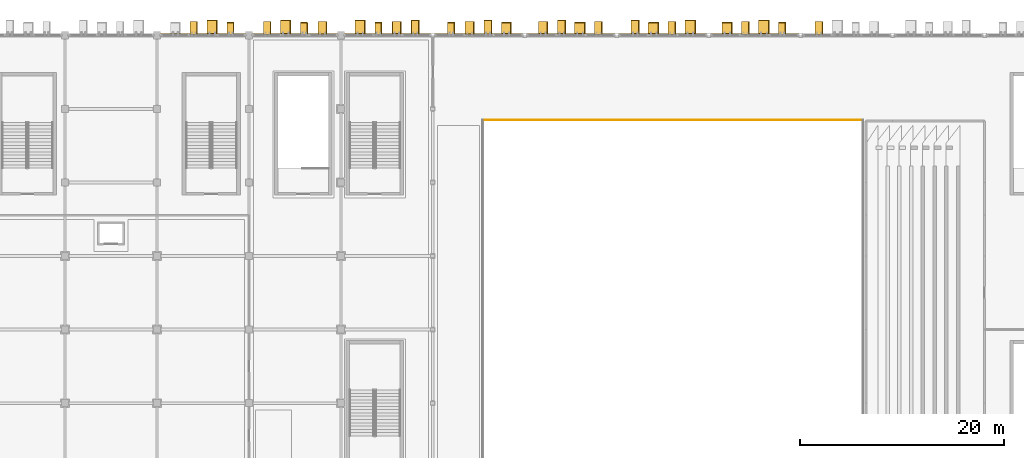
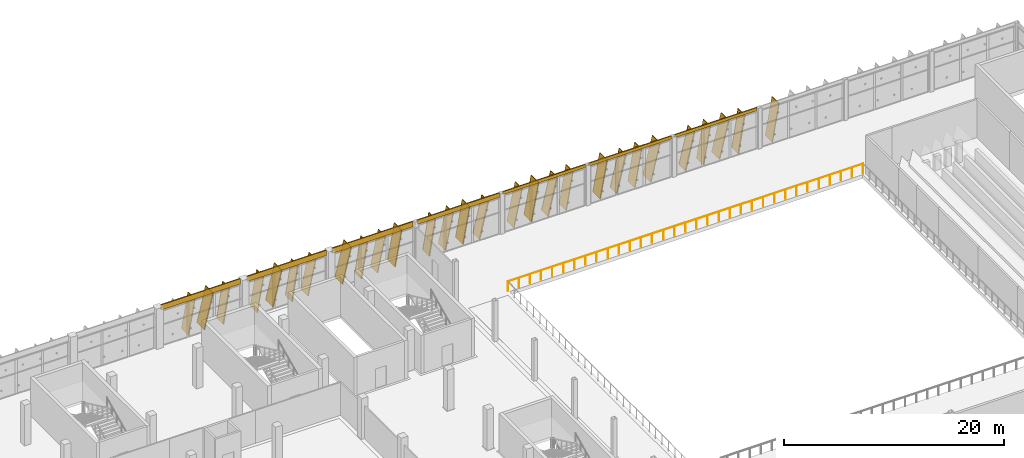
# One storey, part 150 of 151: 35 coverings, 28 shading devices, 1 railing.
"""IFC4 building model written with IfcOpenShell, lengths in metres."""

import ifcopenshell
import ifcopenshell.guid

model = None  # the IFC model being written
_history = None  # IfcOwnerHistory: only IFC2X3 demands one
_inside = {}  # id of a spatial element -> (the spatial element, [elements in it])
_under = {}  # id of a project, library or spatial element -> (it, [spatial elements below it])
_declared = {}  # id of a project -> (the project, [libraries it declares])
_typed = {}  # id of a type object -> (the type object, [elements of that type])
_made_of = {}  # id of a material, layer set ... -> (it, [elements and type objects made of it])


def new_model(schema):
    """Start an empty IFC model of exactly this schema.

    Asked for "IFC4X3", IfcOpenShell would pick the latest addendum, in which some entities
    have other attributes; the version numbers below select the first issue.
    IFC2X3 requires an IfcOwnerHistory on every rooted entity: one is made here for all.
    """
    global model, _history
    if schema == "IFC4X3":
        model = ifcopenshell.file(schema_version=(4, 3, 0, 0))
    else:
        model = ifcopenshell.file(schema=schema)
    _inside.clear()
    _under.clear()
    _declared.clear()
    _typed.clear()
    _made_of.clear()
    _history = None
    if model.schema == "IFC2X3":
        org = make("IfcOrganization", Name="unknown")
        user = make(
            "IfcPersonAndOrganization",
            ThePerson=make("IfcPerson", FamilyName="unknown"),
            TheOrganization=org,
        )
        app = make(
            "IfcApplication",
            ApplicationDeveloper=org,
            Version="unknown",
            ApplicationFullName="unknown",
            ApplicationIdentifier="unknown",
        )
        _history = make(
            "IfcOwnerHistory",
            OwningUser=user,
            OwningApplication=app,
            ChangeAction="ADDED",
            CreationDate=0,
        )
    return model


def make(cls, **values):
    """One entity of the class cls with the attributes given. An attribute that is None is left unset."""
    return model.create_entity(
        cls, **{name: value for name, value in values.items() if value is not None}
    )


def rooted(cls, **values):
    """An entity with a GlobalId (a new one), such as an element, a storey or a relation."""
    return make(cls, GlobalId=ifcopenshell.guid.new(), OwnerHistory=_history, **values)


def si_unit(unit_type, name, prefix=None):
    """IfcSIUnit, for example si_unit("LENGTHUNIT", "METRE", prefix="MILLI")."""
    return make("IfcSIUnit", UnitType=unit_type, Prefix=prefix, Name=name)


def assignment(units):
    """IfcUnitAssignment: the units of a project."""
    return None if units is None else make("IfcUnitAssignment", Units=units)


def point(xyz):
    """IfcCartesianPoint."""
    return None if xyz is None else make("IfcCartesianPoint", Coordinates=xyz)


def direction(xyz):
    """IfcDirection."""
    return None if xyz is None else make("IfcDirection", DirectionRatios=xyz)


def frame(location, z_axis=None, x_axis=None):
    """IfcAxis2Placement3D, a coordinate frame: its origin and axes. An axis left out is left unset."""
    return make(
        "IfcAxis2Placement3D",
        Location=point(location),
        Axis=direction(z_axis),
        RefDirection=direction(x_axis),
    )


def frame_2d(location, x_axis=None):
    """IfcAxis2Placement2D, a coordinate frame in the plane: its origin and x axis."""
    return make(
        "IfcAxis2Placement2D", Location=point(location), RefDirection=direction(x_axis)
    )


def origin():
    """The frame at (0, 0, 0) with its axes left unset."""
    return frame((0.0, 0.0, 0.0))


def origin_2d():
    """The frame at (0, 0) in the plane with its x axis left unset."""
    return frame_2d((0.0, 0.0))


def place(relative_to, where):
    """IfcLocalPlacement: puts the frame where relative to a parent placement (None: the world)."""
    return make(
        "IfcLocalPlacement", PlacementRelTo=relative_to, RelativePlacement=where
    )


def context(
    kind, dimensions, precision=None, world=None, true_north=None, identifier=None
):
    """IfcGeometricRepresentationContext, for example the 3D "Model" context."""
    return make(
        "IfcGeometricRepresentationContext",
        ContextIdentifier=identifier,
        ContextType=kind,
        CoordinateSpaceDimension=dimensions,
        Precision=precision,
        WorldCoordinateSystem=world,
        TrueNorth=true_north,
    )


def subcontext(parent, identifier, kind, view, scale=None):
    """IfcGeometricRepresentationSubContext, for example "Body" below "Model"."""
    return make(
        "IfcGeometricRepresentationSubContext",
        ContextIdentifier=identifier,
        ContextType=kind,
        ParentContext=parent,
        TargetScale=scale,
        TargetView=view,
    )


def project(units=None, contexts=None):
    """IfcProject with its units and contexts."""
    return rooted(
        "IfcProject",
        Name="project",
        RepresentationContexts=contexts,
        UnitsInContext=assignment(units),
    )


def spatial(cls, under=None, at=None, **own):
    """A site, building, storey or space (cls), placed at a placement, below another one or the project."""
    s = rooted(cls, ObjectPlacement=at, **own)
    if under is not None:
        _under.setdefault(under.id(), (under, []))[1].append(s)
    return s


def profile(cls, at=None, kind="AREA", **sizes):
    """A parametric profile (cls). Its sizes go by their IFC names, for example OverallWidth=200.0."""
    return make(cls, ProfileType=kind, Position=at, **sizes)


def rectangle(**sizes):
    """IfcRectangleProfileDef."""
    return profile("IfcRectangleProfileDef", **sizes)


def circle(**sizes):
    """IfcCircleProfileDef."""
    return profile("IfcCircleProfileDef", **sizes)


def extrude(swept, where, along, depth):
    """IfcExtrudedAreaSolid: the profile swept, set in the frame where, extruded along a direction by depth."""
    return make(
        "IfcExtrudedAreaSolid",
        SweptArea=swept,
        Position=where,
        ExtrudedDirection=direction(along),
        Depth=depth,
    )


def shape(context_of_items, identifier, shape_type, items):
    """IfcShapeRepresentation: the items that make up one representation, for example the "Body"."""
    return make(
        "IfcShapeRepresentation",
        ContextOfItems=context_of_items,
        RepresentationIdentifier=identifier,
        RepresentationType=shape_type,
        Items=items,
    )


def material(Name=None, Category=None):
    """IfcMaterial."""
    return make("IfcMaterial", Name=Name, Category=Category)


def layer(
    of_material, thickness, ventilated=None, Name=None, Category=None, Priority=None
):
    """IfcMaterialLayer: one layer of a wall or slab, of a material (None: an air gap)."""
    return make(
        "IfcMaterialLayer",
        Material=of_material,
        LayerThickness=thickness,
        IsVentilated=ventilated,
        Name=Name,
        Category=Category,
        Priority=Priority,
    )


def layer_set(layers, Name=None):
    """IfcMaterialLayerSet."""
    return make("IfcMaterialLayerSet", MaterialLayers=layers, LayerSetName=Name)


def material_profile(
    of_material, cross_section, Name=None, Category=None, Priority=None
):
    """IfcMaterialProfile: a cross section and its material."""
    return make(
        "IfcMaterialProfile",
        Name=Name,
        Material=of_material,
        Profile=cross_section,
        Priority=Priority,
        Category=Category,
    )


def profile_set(profiles, Name=None, composite=None):
    """IfcMaterialProfileSet."""
    return make(
        "IfcMaterialProfileSet",
        Name=Name,
        MaterialProfiles=profiles,
        CompositeProfile=composite,
    )


def made_of(thing, what):
    """Note that an element or type object is made of a material, layer set ...; save() writes the relation."""
    if what is not None:
        _made_of.setdefault(what.id(), (what, []))[1].append(thing)
    return thing


def type_object(cls, material=None, **own):
    """A type object (cls), such as IfcWallType, which elements share."""
    return made_of(rooted(cls, **own), material)


def element(
    cls,
    number,
    at=None,
    inside=None,
    cuts=None,
    type_object=None,
    material=None,
    context=None,
    identifier="Body",
    shape_type=None,
    held_by="IfcProductDefinitionShape",
    body=None,
    shapes=None,
    **own,
):
    """One element of the class cls, such as IfcWall. Its Tag is "e" and its number.

    at: its placement. inside: the storey or other place that contains it. cuts: it is an
    opening in that element (IfcRelVoidsElement). A single representation is given by context,
    identifier, shape_type and body (its items); several are given by shapes. held_by: the class
    of the entity that holds the representations. save() writes the other relations.
    """
    e = rooted(cls, Tag="e%d" % number, ObjectPlacement=at, **own)
    if body is not None:
        shapes = [shape(context, identifier, shape_type, body)]
    if shapes is not None:
        e.Representation = make(held_by, Representations=shapes)
    if inside is not None:
        _inside.setdefault(inside.id(), (inside, []))[1].append(e)
    if cuts is not None:
        rooted(
            "IfcRelVoidsElement", RelatingBuildingElement=cuts, RelatedOpeningElement=e
        )
    if type_object is not None:
        _typed.setdefault(type_object.id(), (type_object, []))[1].append(e)
    return made_of(e, material)


def aggregate(whole, parts):
    """IfcRelAggregates: a whole, such as a stair, and the parts it consists of."""
    return rooted("IfcRelAggregates", RelatingObject=whole, RelatedObjects=parts)


def save(model, path):
    """Write the relations noted so far, then the file.

    IfcRelAggregates (storeys below a building ...), IfcRelContainedInSpatialStructure (elements
    in a storey), IfcRelDefinesByType, IfcRelAssociatesMaterial and IfcRelDeclares: one each for
    every whole, place, type object, material and project.
    """
    for whole, parts in _under.values():
        aggregate(whole, parts)
    for where, things in _inside.values():
        rooted(
            "IfcRelContainedInSpatialStructure",
            RelatedElements=things,
            RelatingStructure=where,
        )
    for kind, things in _typed.values():
        rooted("IfcRelDefinesByType", RelatedObjects=things, RelatingType=kind)
    for what, things in _made_of.values():
        rooted("IfcRelAssociatesMaterial", RelatedObjects=things, RelatingMaterial=what)
    for by, libraries in _declared.values():
        rooted("IfcRelDeclares", RelatingContext=by, RelatedDefinitions=libraries)
    model.write(path)


model = new_model("IFC4")

# Units and contexts
model_context = context("Model", 3, precision=1e-05, world=origin(), true_north=direction((0.0, 1.0)))
body_context = subcontext(model_context, "Body", "Model", "MODEL_VIEW")
ifc_project = project(units=[si_unit("LENGTHUNIT", "METRE"), si_unit("AREAUNIT", "SQUARE_METRE"), si_unit("VOLUMEUNIT", "CUBIC_METRE"), si_unit("PLANEANGLEUNIT", "RADIAN"), si_unit("MASSUNIT", "GRAM", prefix="KILO")], contexts=[model_context])

# Site, building, storey
site_placement = place(None, origin())
site = spatial("IfcSite", under=ifc_project, at=site_placement, CompositionType="ELEMENT")
building_placement = place(site_placement, origin())
building = spatial("IfcBuilding", under=site, at=building_placement, Name="Celestram Park Convention Centre", CompositionType="ELEMENT")
storey_placement = place(building_placement, frame((0.0, 0.0, 10.800048828125)))
storey = spatial("IfcBuildingStorey", under=building, at=storey_placement, Name="L02", CompositionType="ELEMENT", Elevation=10.800048828125)

# Coverings
ifc_material_1 = material(Name="Anodised Bronze Aluminium Spandrel Cladding", Category="aluminium")
ifc_layer_1 = layer(ifc_material_1, 0.050048828125)
ifc_layer_set_1 = layer_set([ifc_layer_1], Name="Anodised Bronze Aluminium Spandrel Cladding")
covering_type_1 = type_object("IfcCoveringType", Name="ARC-COV-CLD060", PredefinedType="CLADDING", material=ifc_layer_set_1)
for number, where, z_axis, x_axis, name in (
    (1, (130.5, 165.679931640625, 3.9140625), (0.0, 0.0, 1.0), (1.0, 0.0, 0.0), "Bronze spandrel cladding CL-L02-160"),
    (2, (139.5, 165.679931640625, 3.9140625), (0.0, 0.0, 1.0), (1.0, 0.0, 0.0), "Bronze spandrel cladding CL-L02-161"),
):
    element("IfcCovering", number, at=place(storey_placement, frame(where, z_axis=z_axis, x_axis=x_axis)), inside=storey, type_object=covering_type_1, Name=name, PredefinedType="CLADDING", context=body_context, shape_type="SweptSolid", body=[
        extrude(rectangle(XDim=8.303955078125, YDim=0.1201171875, at=origin_2d()), origin(), (0.0, 0.0, 1.0), 0.5859375),
    ])
covering_1_placement = place(storey_placement, frame((148.5, 165.679931640625, 3.9140625), z_axis=(0.0, 0.0, 1.0), x_axis=(1.0, 0.0, 0.0)))
element("IfcCovering", 3, at=covering_1_placement, inside=storey, type_object=covering_type_1, Name="Bronze spandrel cladding CL-L02-162", PredefinedType="CLADDING", context=body_context, shape_type="SweptSolid", body=[
    extrude(rectangle(XDim=8.4541015625, YDim=0.1201171875, at=origin_2d()), origin(), (0.0, 0.0, 1.0), 0.5859375),
])
covering_2_placement = place(storey_placement, frame((157.5, 165.679931640625, 4.02001953125), z_axis=(0.0, 0.0, 1.0), x_axis=(1.0, 0.0, 0.0)))
element("IfcCovering", 4, at=covering_2_placement, inside=storey, type_object=covering_type_1, Name="Bronze spandrel cladding CL-L02-163", PredefinedType="CLADDING", context=body_context, shape_type="SweptSolid", body=[
    extrude(rectangle(XDim=8.60400390625, YDim=0.1201171875, at=origin_2d()), origin(), (0.0, 0.0, 1.0), 0.47998046875),
])
for number, where, z_axis, x_axis, name in (
    (5, (166.5, 165.679931640625, 4.1640625), (0.0, 0.0, 1.0), (1.0, 0.0, 0.0), "Bronze spandrel cladding CL-L02-164"),
    (6, (175.5, 165.679931640625, 4.1640625), (0.0, 0.0, 1.0), (1.0, 0.0, 0.0), "Bronze spandrel cladding CL-L02-165"),
    (7, (184.5, 165.679931640625, 4.1640625), (0.0, 0.0, 1.0), (1.0, 0.0, 0.0), "Bronze spandrel cladding CL-L02-166"),
):
    element("IfcCovering", number, at=place(storey_placement, frame(where, z_axis=z_axis, x_axis=x_axis)), inside=storey, type_object=covering_type_1, Name=name, PredefinedType="CLADDING", context=body_context, shape_type="SweptSolid", body=[
        extrude(rectangle(XDim=8.60400390625, YDim=0.1201171875, at=origin_2d()), origin(), (0.0, 0.0, 1.0), 0.3359375),
    ])
ifc_material_2 = material(Name="Timber-Toned Anodised Aluminium Alloy 6063-T6", Category="wood")
ifc_material_profile_1 = material_profile(ifc_material_2, rectangle(XDim=1.1201171875, YDim=0.090087890625, at=origin_2d()), Name="REED1120X90")
ifc_profile_set_1 = profile_set([ifc_material_profile_1], Name="Timber-Toned Anodised Aluminium Alloy 6063-T6")
covering_type_2 = type_object("IfcCoveringType", Name="ARC-COV-FIN1120", PredefinedType="CLADDING", material=ifc_profile_set_1)
for number, where, z_axis, x_axis, name in (
    (8, (132.889404296875, 166.239990234375, 0.030029296875), (0.159912242816, 0.0, 0.987131234739), (0.0, 1.0, 0.0), "Leaning timber-toned reed fin RFN-L02-0495"),
    (9, (140.089599609375, 166.239990234375, 0.030029296875), (0.159850990721, 0.0, 0.987141155441), (0.0, 1.0, 0.0), "Leaning timber-toned reed fin RFN-L02-0498"),
    (10, (147.364501953125, 166.239990234375, 0.030029296875), (0.159912242816, 0.0, 0.987131234739), (0.0, 1.0, 0.0), "Leaning timber-toned reed fin RFN-L02-0501"),
):
    element("IfcCovering", number, at=place(storey_placement, frame(where, z_axis=z_axis, x_axis=x_axis)), inside=storey, type_object=covering_type_2, Name=name, PredefinedType="CLADDING", context=body_context, shape_type="SweptSolid", body=[
        extrude(rectangle(XDim=1.1201171875, YDim=0.090087890625, at=origin_2d()), origin(), (0.0, 0.0, 1.0), 3.884033203125),
    ])
covering_3_placement = place(storey_placement, frame((154.48095703125, 166.239990234375, 0.03076171875), z_axis=(0.159892286348, 0.0, 0.987134467419), x_axis=(0.0, 1.0, 0.0)))
element("IfcCovering", 11, at=covering_3_placement, inside=storey, type_object=covering_type_2, Name="Leaning timber-toned reed fin RFN-L02-0504", PredefinedType="CLADDING", context=body_context, shape_type="SweptSolid", body=[
    extrude(rectangle(XDim=1.1201171875, YDim=0.090087890625, at=origin_2d()), origin(), (0.0, 0.0, 1.0), 3.98974609375),
])
covering_4_placement = place(storey_placement, frame((159.73779296875, 166.239990234375, 0.059326171875), z_axis=(0.231722551383, 0.0, 0.972781917585), x_axis=(0.0, 1.0, 0.0)))
element("IfcCovering", 12, at=covering_4_placement, inside=storey, type_object=covering_type_2, Name="Leaning timber-toned reed fin RFN-L02-0507", PredefinedType="CLADDING", context=body_context, shape_type="SweptSolid", body=[
    extrude(rectangle(XDim=1.1201171875, YDim=0.090087890625, at=origin_2d()), origin(), (0.0, 0.0, 1.0), 3.989990234375),
])
for number, where, z_axis, x_axis, name in (
    (13, (166.9208984375, 166.239990234375, 0.061279296875), (0.231737624741, 0.0, 0.972778326896), (0.0, 1.0, 0.0), "Leaning timber-toned reed fin RFN-L02-0510"),
    (14, (174.12109375, 166.239990234375, 0.061279296875), (0.231737624741, 0.0, 0.972778326896), (0.0, 1.0, 0.0), "Leaning timber-toned reed fin RFN-L02-0513"),
    (15, (181.321044921875, 166.239990234375, 0.061279296875), (0.231737624741, 0.0, 0.972778326896), (0.0, 1.0, 0.0), "Leaning timber-toned reed fin RFN-L02-0516"),
    (16, (186.869384765625, 166.239990234375, 0.031494140625), (0.159924965723, 0.0, 0.987129173583), (0.0, 1.0, 0.0), "Leaning timber-toned reed fin RFN-L02-0519"),
):
    element("IfcCovering", number, at=place(storey_placement, frame(where, z_axis=z_axis, x_axis=x_axis)), inside=storey, type_object=covering_type_2, Name=name, PredefinedType="CLADDING", context=body_context, shape_type="SweptSolid", body=[
        extrude(rectangle(XDim=1.1201171875, YDim=0.090087890625, at=origin_2d()), origin(), (0.0, 0.0, 1.0), 4.134033203125),
    ])
ifc_material_profile_2 = material_profile(ifc_material_2, rectangle(XDim=1.280029296875, YDim=0.090087890625, at=origin_2d()), Name="REED1280X90")
ifc_profile_set_2 = profile_set([ifc_material_profile_2], Name="Timber-Toned Anodised Aluminium Alloy 6063-T6")
covering_type_3 = type_object("IfcCoveringType", Name="ARC-COV-FIN1280", PredefinedType="CLADDING", material=ifc_profile_set_2)
for number, where, z_axis, x_axis, name in (
    (17, (129.26953125, 166.320068359375, 0.033203125), (0.170155292653, 0.0, 0.985417260039), (0.0, 1.0, 0.0), "Leaning timber-toned reed fin RFN-L02-0493"),
    (18, (136.469482421875, 166.320068359375, 0.033203125), (0.170216329286, 0.0, 0.985406718693), (0.0, 1.0, 0.0), "Leaning timber-toned reed fin RFN-L02-0496"),
    (19, (141.79296875, 166.320068359375, 0.048095703125), (0.209623524504, 0.0, 0.97778217307), (0.0, 1.0, 0.0), "Leaning timber-toned reed fin RFN-L02-0499"),
    (20, (149.06787109375, 166.320068359375, 0.048095703125), (0.209623524504, 0.0, 0.97778217307), (0.0, 1.0, 0.0), "Leaning timber-toned reed fin RFN-L02-0502"),
):
    element("IfcCovering", number, at=place(storey_placement, frame(where, z_axis=z_axis, x_axis=x_axis)), inside=storey, type_object=covering_type_3, Name=name, PredefinedType="CLADDING", context=body_context, shape_type="SweptSolid", body=[
        extrude(rectangle(XDim=1.280029296875, YDim=0.090087890625, at=origin_2d()), origin(), (0.0, 0.0, 1.0), 3.884033203125),
    ])
covering_5_placement = place(storey_placement, frame((156.181884765625, 166.320068359375, 0.04931640625), z_axis=(0.209629375913, 0.0, 0.977780918588), x_axis=(0.0, 1.0, 0.0)))
element("IfcCovering", 21, at=covering_5_placement, inside=storey, type_object=covering_type_3, Name="Leaning timber-toned reed fin RFN-L02-0505", PredefinedType="CLADDING", context=body_context, shape_type="SweptSolid", body=[
    extrude(rectangle(XDim=1.280029296875, YDim=0.090087890625, at=origin_2d()), origin(), (0.0, 0.0, 1.0), 3.989990234375),
])
covering_6_placement = place(storey_placement, frame((163.36669921875, 166.320068359375, 0.05078125), z_axis=(0.209646045383, 0.0, 0.977777344622), x_axis=(0.0, 1.0, 0.0)))
element("IfcCovering", 22, at=covering_6_placement, inside=storey, type_object=covering_type_3, Name="Leaning timber-toned reed fin RFN-L02-0508", PredefinedType="CLADDING", context=body_context, shape_type="SweptSolid", body=[
    extrude(rectangle(XDim=1.280029296875, YDim=0.090087890625, at=origin_2d()), origin(), (0.0, 0.0, 1.0), 4.134033203125),
])
for number, where, z_axis, x_axis, name in (
    (23, (168.84814453125, 166.320068359375, 0.03515625), (0.170209503231, 0.0, 0.985407897781), (0.0, 1.0, 0.0), "Leaning timber-toned reed fin RFN-L02-0511"),
    (24, (176.048095703125, 166.320068359375, 0.03515625), (0.170209503231, 0.0, 0.985407897781), (0.0, 1.0, 0.0), "Leaning timber-toned reed fin RFN-L02-0514"),
    (25, (183.248291015625, 166.320068359375, 0.03515625), (0.170209503231, 0.0, 0.985407897781), (0.0, 1.0, 0.0), "Leaning timber-toned reed fin RFN-L02-0517"),
    (26, (190.4482421875, 166.320068359375, 0.03515625), (0.170209503231, 0.0, 0.985407897781), (0.0, 1.0, 0.0), "Leaning timber-toned reed fin RFN-L02-0520"),
):
    element("IfcCovering", number, at=place(storey_placement, frame(where, z_axis=z_axis, x_axis=x_axis)), inside=storey, type_object=covering_type_3, Name=name, PredefinedType="CLADDING", context=body_context, shape_type="SweptSolid", body=[
        extrude(rectangle(XDim=1.280029296875, YDim=0.090087890625, at=origin_2d()), origin(), (0.0, 0.0, 1.0), 4.1337890625),
    ])
ifc_material_profile_3 = material_profile(ifc_material_2, rectangle(XDim=1.419921875, YDim=0.090087890625, at=origin_2d()), Name="REED1420X90")
ifc_profile_set_3 = profile_set([ifc_material_profile_3], Name="Timber-Toned Anodised Aluminium Alloy 6063-T6")
covering_type_4 = type_object("IfcCoveringType", Name="ARC-COV-FIN1420", PredefinedType="CLADDING", material=ifc_profile_set_3)
for number, where, z_axis, x_axis, name in (
    (27, (130.936767578125, 166.389892578125, 0.06103515625), (0.238554897182, 0.0, 0.971129013587), (0.0, 1.0, 0.0), "Leaning timber-toned reed fin RFN-L02-0494"),
    (28, (138.13671875, 166.389892578125, 0.06103515625), (0.238554897182, 0.0, 0.971129013587), (0.0, 1.0, 0.0), "Leaning timber-toned reed fin RFN-L02-0497"),
    (29, (145.411865234375, 166.389892578125, 0.06103515625), (0.238495612815, 0.0, 0.971143574693), (0.0, 1.0, 0.0), "Leaning timber-toned reed fin RFN-L02-0500"),
    (30, (150.92431640625, 166.389892578125, 0.036865234375), (0.180533625065, 0.0, 0.98356881316), (0.0, 1.0, 0.0), "Leaning timber-toned reed fin RFN-L02-0503"),
):
    element("IfcCovering", number, at=place(storey_placement, frame(where, z_axis=z_axis, x_axis=x_axis)), inside=storey, type_object=covering_type_4, Name=name, PredefinedType="CLADDING", context=body_context, shape_type="SweptSolid", body=[
        extrude(rectangle(XDim=1.419921875, YDim=0.090087890625, at=origin_2d()), origin(), (0.0, 0.0, 1.0), 3.8837890625),
    ])
covering_7_placement = place(storey_placement, frame((158.039794921875, 166.389892578125, 0.037841796875), z_axis=(0.180511387282, 0.0, 0.983572894635), x_axis=(0.0, 1.0, 0.0)))
element("IfcCovering", 31, at=covering_7_placement, inside=storey, type_object=covering_type_4, Name="Leaning timber-toned reed fin RFN-L02-0506", PredefinedType="CLADDING", context=body_context, shape_type="SweptSolid", body=[
    extrude(rectangle(XDim=1.419921875, YDim=0.090087890625, at=origin_2d()), origin(), (0.0, 0.0, 1.0), 3.98974609375),
])
for number, where, z_axis, x_axis, name in (
    (32, (165.226806640625, 166.389892578125, 0.0390625), (0.180543085931, 0.0, 0.983567076575), (0.0, 1.0, 0.0), "Leaning timber-toned reed fin RFN-L02-0509"),
    (33, (172.427001953125, 166.389892578125, 0.0390625), (0.18048595118, 0.0, 0.983577562486), (0.0, 1.0, 0.0), "Leaning timber-toned reed fin RFN-L02-0512"),
):
    element("IfcCovering", number, at=place(storey_placement, frame(where, z_axis=z_axis, x_axis=x_axis)), inside=storey, type_object=covering_type_4, Name=name, PredefinedType="CLADDING", context=body_context, shape_type="SweptSolid", body=[
        extrude(rectangle(XDim=1.419921875, YDim=0.090087890625, at=origin_2d()), origin(), (0.0, 0.0, 1.0), 4.1337890625),
    ])
for number, where, z_axis, x_axis, name in (
    (34, (177.70703125, 166.389892578125, 0.064697265625), (0.238531575281, 0.0, 0.971134742244), (0.0, 1.0, 0.0), "Leaning timber-toned reed fin RFN-L02-0515"),
    (35, (184.906982421875, 166.389892578125, 0.064697265625), (0.238531575281, 0.0, 0.971134742244), (0.0, 1.0, 0.0), "Leaning timber-toned reed fin RFN-L02-0518"),
):
    element("IfcCovering", number, at=place(storey_placement, frame(where, z_axis=z_axis, x_axis=x_axis)), inside=storey, type_object=covering_type_4, Name=name, PredefinedType="CLADDING", context=body_context, shape_type="SweptSolid", body=[
        extrude(rectangle(XDim=1.419921875, YDim=0.090087890625, at=origin_2d()), origin(), (0.0, 0.0, 1.0), 4.134033203125),
    ])

# Shading devices
ifc_material_3 = material(Name="Anodised Bronze Aluminium Alloy 6063-T6", Category="aluminium")
ifc_material_profile_4 = material_profile(ifc_material_3, rectangle(XDim=1.280029296875, YDim=0.080078125, at=origin_2d()), Name="FIN1280X80")
ifc_profile_set_4 = profile_set([ifc_material_profile_4], Name="Anodised Bronze Aluminium Alloy 6063-T6")
shading_device_type = type_object("IfcShadingDeviceType", Name="ARC-FIN-BZ1280", PredefinedType="USERDEFINED", material=ifc_profile_set_4)
shading_device_1_placement = place(storey_placement, frame((129.26953125, 166.320068359375, 0.033203125), z_axis=(0.170155292653, 0.0, 0.985417260039), x_axis=(0.0, 1.0, 0.0)))
element("IfcShadingDevice", 36, at=shading_device_1_placement, inside=storey, type_object=shading_device_type, Name="Expressive solar fin FN-L02-0493", ObjectType="SOLAR_FIN", PredefinedType="USERDEFINED", context=body_context, shape_type="SweptSolid", body=[
    extrude(rectangle(XDim=1.280029296875, YDim=0.080078125, at=origin_2d()), origin(), (0.0, 0.0, 1.0), 3.884033203125),
])
shading_device_2_placement = place(storey_placement, frame((130.936767578125, 166.389892578125, 0.06103515625), z_axis=(0.238554897182, 0.0, 0.971129013587), x_axis=(0.0, 1.0, 0.0)))
element("IfcShadingDevice", 37, at=shading_device_2_placement, inside=storey, type_object=shading_device_type, Name="Expressive solar fin FN-L02-0494", ObjectType="SOLAR_FIN", PredefinedType="USERDEFINED", context=body_context, shape_type="SweptSolid", body=[
    extrude(rectangle(XDim=1.280029296875, YDim=0.080078125, at=origin_2d()), origin(), (0.0, 0.0, 1.0), 3.8837890625),
])
for number, where, z_axis, x_axis, name in (
    (38, (132.889404296875, 166.239990234375, 0.030029296875), (0.159912242816, 0.0, 0.987131234739), (0.0, 1.0, 0.0), "Expressive solar fin FN-L02-0495"),
    (39, (136.469482421875, 166.320068359375, 0.033203125), (0.170216329286, 0.0, 0.985406718693), (0.0, 1.0, 0.0), "Expressive solar fin FN-L02-0496"),
):
    element("IfcShadingDevice", number, at=place(storey_placement, frame(where, z_axis=z_axis, x_axis=x_axis)), inside=storey, type_object=shading_device_type, Name=name, ObjectType="SOLAR_FIN", PredefinedType="USERDEFINED", context=body_context, shape_type="SweptSolid", body=[
        extrude(rectangle(XDim=1.280029296875, YDim=0.080078125, at=origin_2d()), origin(), (0.0, 0.0, 1.0), 3.884033203125),
    ])
shading_device_3_placement = place(storey_placement, frame((138.13671875, 166.389892578125, 0.06103515625), z_axis=(0.238554897182, 0.0, 0.971129013587), x_axis=(0.0, 1.0, 0.0)))
element("IfcShadingDevice", 40, at=shading_device_3_placement, inside=storey, type_object=shading_device_type, Name="Expressive solar fin FN-L02-0497", ObjectType="SOLAR_FIN", PredefinedType="USERDEFINED", context=body_context, shape_type="SweptSolid", body=[
    extrude(rectangle(XDim=1.280029296875, YDim=0.080078125, at=origin_2d()), origin(), (0.0, 0.0, 1.0), 3.8837890625),
])
for number, where, z_axis, x_axis, name in (
    (41, (140.089599609375, 166.239990234375, 0.030029296875), (0.159850990721, 0.0, 0.987141155441), (0.0, 1.0, 0.0), "Expressive solar fin FN-L02-0498"),
    (42, (141.79296875, 166.320068359375, 0.048095703125), (0.209623524504, 0.0, 0.97778217307), (0.0, 1.0, 0.0), "Expressive solar fin FN-L02-0499"),
):
    element("IfcShadingDevice", number, at=place(storey_placement, frame(where, z_axis=z_axis, x_axis=x_axis)), inside=storey, type_object=shading_device_type, Name=name, ObjectType="SOLAR_FIN", PredefinedType="USERDEFINED", context=body_context, shape_type="SweptSolid", body=[
        extrude(rectangle(XDim=1.280029296875, YDim=0.080078125, at=origin_2d()), origin(), (0.0, 0.0, 1.0), 3.884033203125),
    ])
shading_device_4_placement = place(storey_placement, frame((145.411865234375, 166.389892578125, 0.06103515625), z_axis=(0.238495612815, 0.0, 0.971143574693), x_axis=(0.0, 1.0, 0.0)))
element("IfcShadingDevice", 43, at=shading_device_4_placement, inside=storey, type_object=shading_device_type, Name="Expressive solar fin FN-L02-0500", ObjectType="SOLAR_FIN", PredefinedType="USERDEFINED", context=body_context, shape_type="SweptSolid", body=[
    extrude(rectangle(XDim=1.280029296875, YDim=0.080078125, at=origin_2d()), origin(), (0.0, 0.0, 1.0), 3.8837890625),
])
for number, where, z_axis, x_axis, name in (
    (44, (147.364501953125, 166.239990234375, 0.030029296875), (0.159912242816, 0.0, 0.987131234739), (0.0, 1.0, 0.0), "Expressive solar fin FN-L02-0501"),
    (45, (149.06787109375, 166.320068359375, 0.048095703125), (0.209623524504, 0.0, 0.97778217307), (0.0, 1.0, 0.0), "Expressive solar fin FN-L02-0502"),
):
    element("IfcShadingDevice", number, at=place(storey_placement, frame(where, z_axis=z_axis, x_axis=x_axis)), inside=storey, type_object=shading_device_type, Name=name, ObjectType="SOLAR_FIN", PredefinedType="USERDEFINED", context=body_context, shape_type="SweptSolid", body=[
        extrude(rectangle(XDim=1.280029296875, YDim=0.080078125, at=origin_2d()), origin(), (0.0, 0.0, 1.0), 3.884033203125),
    ])
shading_device_5_placement = place(storey_placement, frame((150.92431640625, 166.389892578125, 0.036865234375), z_axis=(0.180533625065, 0.0, 0.98356881316), x_axis=(0.0, 1.0, 0.0)))
element("IfcShadingDevice", 46, at=shading_device_5_placement, inside=storey, type_object=shading_device_type, Name="Expressive solar fin FN-L02-0503", ObjectType="SOLAR_FIN", PredefinedType="USERDEFINED", context=body_context, shape_type="SweptSolid", body=[
    extrude(rectangle(XDim=1.280029296875, YDim=0.080078125, at=origin_2d()), origin(), (0.0, 0.0, 1.0), 3.8837890625),
])
shading_device_6_placement = place(storey_placement, frame((154.48095703125, 166.239990234375, 0.03076171875), z_axis=(0.159892286348, 0.0, 0.987134467419), x_axis=(0.0, 1.0, 0.0)))
element("IfcShadingDevice", 47, at=shading_device_6_placement, inside=storey, type_object=shading_device_type, Name="Expressive solar fin FN-L02-0504", ObjectType="SOLAR_FIN", PredefinedType="USERDEFINED", context=body_context, shape_type="SweptSolid", body=[
    extrude(rectangle(XDim=1.280029296875, YDim=0.080078125, at=origin_2d()), origin(), (0.0, 0.0, 1.0), 3.98974609375),
])
shading_device_7_placement = place(storey_placement, frame((156.181884765625, 166.320068359375, 0.04931640625), z_axis=(0.209629375913, 0.0, 0.977780918588), x_axis=(0.0, 1.0, 0.0)))
element("IfcShadingDevice", 48, at=shading_device_7_placement, inside=storey, type_object=shading_device_type, Name="Expressive solar fin FN-L02-0505", ObjectType="SOLAR_FIN", PredefinedType="USERDEFINED", context=body_context, shape_type="SweptSolid", body=[
    extrude(rectangle(XDim=1.280029296875, YDim=0.080078125, at=origin_2d()), origin(), (0.0, 0.0, 1.0), 3.989990234375),
])
shading_device_8_placement = place(storey_placement, frame((158.039794921875, 166.389892578125, 0.037841796875), z_axis=(0.180511387282, 0.0, 0.983572894635), x_axis=(0.0, 1.0, 0.0)))
element("IfcShadingDevice", 49, at=shading_device_8_placement, inside=storey, type_object=shading_device_type, Name="Expressive solar fin FN-L02-0506", ObjectType="SOLAR_FIN", PredefinedType="USERDEFINED", context=body_context, shape_type="SweptSolid", body=[
    extrude(rectangle(XDim=1.280029296875, YDim=0.080078125, at=origin_2d()), origin(), (0.0, 0.0, 1.0), 3.98974609375),
])
shading_device_9_placement = place(storey_placement, frame((159.73779296875, 166.239990234375, 0.059326171875), z_axis=(0.231722551383, 0.0, 0.972781917585), x_axis=(0.0, 1.0, 0.0)))
element("IfcShadingDevice", 50, at=shading_device_9_placement, inside=storey, type_object=shading_device_type, Name="Expressive solar fin FN-L02-0507", ObjectType="SOLAR_FIN", PredefinedType="USERDEFINED", context=body_context, shape_type="SweptSolid", body=[
    extrude(rectangle(XDim=1.280029296875, YDim=0.080078125, at=origin_2d()), origin(), (0.0, 0.0, 1.0), 3.989990234375),
])
shading_device_10_placement = place(storey_placement, frame((163.36669921875, 166.320068359375, 0.05078125), z_axis=(0.209646045383, 0.0, 0.977777344622), x_axis=(0.0, 1.0, 0.0)))
element("IfcShadingDevice", 51, at=shading_device_10_placement, inside=storey, type_object=shading_device_type, Name="Expressive solar fin FN-L02-0508", ObjectType="SOLAR_FIN", PredefinedType="USERDEFINED", context=body_context, shape_type="SweptSolid", body=[
    extrude(rectangle(XDim=1.280029296875, YDim=0.080078125, at=origin_2d()), origin(), (0.0, 0.0, 1.0), 4.134033203125),
])
shading_device_11_placement = place(storey_placement, frame((165.226806640625, 166.389892578125, 0.0390625), z_axis=(0.180543085931, 0.0, 0.983567076575), x_axis=(0.0, 1.0, 0.0)))
element("IfcShadingDevice", 52, at=shading_device_11_placement, inside=storey, type_object=shading_device_type, Name="Expressive solar fin FN-L02-0509", ObjectType="SOLAR_FIN", PredefinedType="USERDEFINED", context=body_context, shape_type="SweptSolid", body=[
    extrude(rectangle(XDim=1.280029296875, YDim=0.080078125, at=origin_2d()), origin(), (0.0, 0.0, 1.0), 4.1337890625),
])
shading_device_12_placement = place(storey_placement, frame((166.9208984375, 166.239990234375, 0.061279296875), z_axis=(0.231737624741, 0.0, 0.972778326896), x_axis=(0.0, 1.0, 0.0)))
element("IfcShadingDevice", 53, at=shading_device_12_placement, inside=storey, type_object=shading_device_type, Name="Expressive solar fin FN-L02-0510", ObjectType="SOLAR_FIN", PredefinedType="USERDEFINED", context=body_context, shape_type="SweptSolid", body=[
    extrude(rectangle(XDim=1.280029296875, YDim=0.080078125, at=origin_2d()), origin(), (0.0, 0.0, 1.0), 4.134033203125),
])
for number, where, z_axis, x_axis, name in (
    (54, (168.84814453125, 166.320068359375, 0.03515625), (0.170209503231, 0.0, 0.985407897781), (0.0, 1.0, 0.0), "Expressive solar fin FN-L02-0511"),
    (55, (172.427001953125, 166.389892578125, 0.0390625), (0.18048595118, 0.0, 0.983577562486), (0.0, 1.0, 0.0), "Expressive solar fin FN-L02-0512"),
):
    element("IfcShadingDevice", number, at=place(storey_placement, frame(where, z_axis=z_axis, x_axis=x_axis)), inside=storey, type_object=shading_device_type, Name=name, ObjectType="SOLAR_FIN", PredefinedType="USERDEFINED", context=body_context, shape_type="SweptSolid", body=[
        extrude(rectangle(XDim=1.280029296875, YDim=0.080078125, at=origin_2d()), origin(), (0.0, 0.0, 1.0), 4.1337890625),
    ])
shading_device_13_placement = place(storey_placement, frame((174.12109375, 166.239990234375, 0.061279296875), z_axis=(0.231737624741, 0.0, 0.972778326896), x_axis=(0.0, 1.0, 0.0)))
element("IfcShadingDevice", 56, at=shading_device_13_placement, inside=storey, type_object=shading_device_type, Name="Expressive solar fin FN-L02-0513", ObjectType="SOLAR_FIN", PredefinedType="USERDEFINED", context=body_context, shape_type="SweptSolid", body=[
    extrude(rectangle(XDim=1.280029296875, YDim=0.080078125, at=origin_2d()), origin(), (0.0, 0.0, 1.0), 4.134033203125),
])
shading_device_14_placement = place(storey_placement, frame((176.048095703125, 166.320068359375, 0.03515625), z_axis=(0.170209503231, 0.0, 0.985407897781), x_axis=(0.0, 1.0, 0.0)))
element("IfcShadingDevice", 57, at=shading_device_14_placement, inside=storey, type_object=shading_device_type, Name="Expressive solar fin FN-L02-0514", ObjectType="SOLAR_FIN", PredefinedType="USERDEFINED", context=body_context, shape_type="SweptSolid", body=[
    extrude(rectangle(XDim=1.280029296875, YDim=0.080078125, at=origin_2d()), origin(), (0.0, 0.0, 1.0), 4.1337890625),
])
for number, where, z_axis, x_axis, name in (
    (58, (177.70703125, 166.389892578125, 0.064697265625), (0.238531575281, 0.0, 0.971134742244), (0.0, 1.0, 0.0), "Expressive solar fin FN-L02-0515"),
    (59, (181.321044921875, 166.239990234375, 0.061279296875), (0.231737624741, 0.0, 0.972778326896), (0.0, 1.0, 0.0), "Expressive solar fin FN-L02-0516"),
):
    element("IfcShadingDevice", number, at=place(storey_placement, frame(where, z_axis=z_axis, x_axis=x_axis)), inside=storey, type_object=shading_device_type, Name=name, ObjectType="SOLAR_FIN", PredefinedType="USERDEFINED", context=body_context, shape_type="SweptSolid", body=[
        extrude(rectangle(XDim=1.280029296875, YDim=0.080078125, at=origin_2d()), origin(), (0.0, 0.0, 1.0), 4.134033203125),
    ])
shading_device_15_placement = place(storey_placement, frame((183.248291015625, 166.320068359375, 0.03515625), z_axis=(0.170209503231, 0.0, 0.985407897781), x_axis=(0.0, 1.0, 0.0)))
element("IfcShadingDevice", 60, at=shading_device_15_placement, inside=storey, type_object=shading_device_type, Name="Expressive solar fin FN-L02-0517", ObjectType="SOLAR_FIN", PredefinedType="USERDEFINED", context=body_context, shape_type="SweptSolid", body=[
    extrude(rectangle(XDim=1.280029296875, YDim=0.080078125, at=origin_2d()), origin(), (0.0, 0.0, 1.0), 4.1337890625),
])
for number, where, z_axis, x_axis, name in (
    (61, (184.906982421875, 166.389892578125, 0.064697265625), (0.238531575281, 0.0, 0.971134742244), (0.0, 1.0, 0.0), "Expressive solar fin FN-L02-0518"),
    (62, (186.869384765625, 166.239990234375, 0.031494140625), (0.159924965723, 0.0, 0.987129173583), (0.0, 1.0, 0.0), "Expressive solar fin FN-L02-0519"),
):
    element("IfcShadingDevice", number, at=place(storey_placement, frame(where, z_axis=z_axis, x_axis=x_axis)), inside=storey, type_object=shading_device_type, Name=name, ObjectType="SOLAR_FIN", PredefinedType="USERDEFINED", context=body_context, shape_type="SweptSolid", body=[
        extrude(rectangle(XDim=1.280029296875, YDim=0.080078125, at=origin_2d()), origin(), (0.0, 0.0, 1.0), 4.134033203125),
    ])
shading_device_16_placement = place(storey_placement, frame((190.4482421875, 166.320068359375, 0.03515625), z_axis=(0.170209503231, 0.0, 0.985407897781), x_axis=(0.0, 1.0, 0.0)))
element("IfcShadingDevice", 63, at=shading_device_16_placement, inside=storey, type_object=shading_device_type, Name="Expressive solar fin FN-L02-0520", ObjectType="SOLAR_FIN", PredefinedType="USERDEFINED", context=body_context, shape_type="SweptSolid", body=[
    extrude(rectangle(XDim=1.280029296875, YDim=0.080078125, at=origin_2d()), origin(), (0.0, 0.0, 1.0), 4.1337890625),
])

# Railing
ifc_material_4 = material(Name="Powder-Coated Steel ASTM A500 Grade B", Category="steel")
ifc_layer_2 = layer(ifc_material_4, 0.06005859375)
ifc_layer_set_2 = layer_set([ifc_layer_2], Name="Powder-Coated Steel ASTM A500 Grade B")
railing_type = type_object("IfcRailingType", Name="ARC-RL-BAL1120", PredefinedType="BALUSTRADE", material=ifc_layer_set_2)
railing_placement = place(storey_placement, frame((195.1201171875, 157.320068359375, 0.0)))
element("IfcRailing", 64, at=railing_placement, inside=storey, type_object=railing_type, Name="Atrium/balcony balustrade RL-L02-VB029", PredefinedType="BALUSTRADE", context=body_context, shape_type="SweptSolid", body=[
    extrude(circle(Radius=0.02392578125, at=origin_2d()), frame((0.0, 0.0, 1.09619140625), z_axis=(-1.0, 0.0, 0.0), x_axis=(0.0, -1.0, 0.0)), (0.0, 0.0, 1.0), 37.240234375),
    extrude(circle(Radius=0.02099609375, at=origin_2d()), origin(), (0.0, 0.0, 1.0), 1.072021484375),
    extrude(circle(Radius=0.02099609375, at=origin_2d()), frame((-1.163818359375, 0.0, 0.0)), (0.0, 0.0, 1.0), 1.072021484375),
    extrude(circle(Radius=0.02099609375, at=origin_2d()), frame((-2.32763671875, 0.0, 0.0)), (0.0, 0.0, 1.0), 1.072021484375),
    extrude(circle(Radius=0.02099609375, at=origin_2d()), frame((-3.4912109375, 0.0, 0.0)), (0.0, 0.0, 1.0), 1.072021484375),
    extrude(circle(Radius=0.02099609375, at=origin_2d()), frame((-4.655029296875, 0.0, 0.0)), (0.0, 0.0, 1.0), 1.072021484375),
    extrude(circle(Radius=0.02099609375, at=origin_2d()), frame((-5.81884765625, 0.0, 0.0)), (0.0, 0.0, 1.0), 1.072021484375),
    extrude(circle(Radius=0.02099609375, at=origin_2d()), frame((-6.982421875, 0.0, 0.0)), (0.0, 0.0, 1.0), 1.072021484375),
    extrude(circle(Radius=0.02099609375, at=origin_2d()), frame((-8.146240234375, 0.0, 0.0)), (0.0, 0.0, 1.0), 1.072021484375),
    extrude(circle(Radius=0.02099609375, at=origin_2d()), frame((-9.31005859375, 0.0, 0.0)), (0.0, 0.0, 1.0), 1.072021484375),
    extrude(circle(Radius=0.02099609375, at=origin_2d()), frame((-10.473876953125, 0.0, 0.0)), (0.0, 0.0, 1.0), 1.072021484375),
    extrude(circle(Radius=0.02099609375, at=origin_2d()), frame((-11.6376953125, 0.0, 0.0)), (0.0, 0.0, 1.0), 1.072021484375),
    extrude(circle(Radius=0.02099609375, at=origin_2d()), frame((-12.80126953125, 0.0, 0.0)), (0.0, 0.0, 1.0), 1.072021484375),
    extrude(circle(Radius=0.02099609375, at=origin_2d()), frame((-13.965087890625, 0.0, 0.0)), (0.0, 0.0, 1.0), 1.072021484375),
    extrude(circle(Radius=0.02099609375, at=origin_2d()), frame((-15.12890625, 0.0, 0.0)), (0.0, 0.0, 1.0), 1.072021484375),
    extrude(circle(Radius=0.02099609375, at=origin_2d()), frame((-16.29248046875, 0.0, 0.0)), (0.0, 0.0, 1.0), 1.072021484375),
    extrude(circle(Radius=0.02099609375, at=origin_2d()), frame((-17.456298828125, 0.0, 0.0)), (0.0, 0.0, 1.0), 1.072021484375),
    extrude(circle(Radius=0.02099609375, at=origin_2d()), frame((-18.6201171875, 0.0, 0.0)), (0.0, 0.0, 1.0), 1.072021484375),
    extrude(circle(Radius=0.02099609375, at=origin_2d()), frame((-19.783935546875, 0.0, 0.0)), (0.0, 0.0, 1.0), 1.072021484375),
    extrude(circle(Radius=0.02099609375, at=origin_2d()), frame((-20.94775390625, 0.0, 0.0)), (0.0, 0.0, 1.0), 1.072021484375),
    extrude(circle(Radius=0.02099609375, at=origin_2d()), frame((-22.111328125, 0.0, 0.0)), (0.0, 0.0, 1.0), 1.072021484375),
    extrude(circle(Radius=0.02099609375, at=origin_2d()), frame((-23.275146484375, 0.0, 0.0)), (0.0, 0.0, 1.0), 1.072021484375),
    extrude(circle(Radius=0.02099609375, at=origin_2d()), frame((-24.43896484375, 0.0, 0.0)), (0.0, 0.0, 1.0), 1.072021484375),
    extrude(circle(Radius=0.02099609375, at=origin_2d()), frame((-25.6025390625, 0.0, 0.0)), (0.0, 0.0, 1.0), 1.072021484375),
    extrude(circle(Radius=0.02099609375, at=origin_2d()), frame((-26.766357421875, 0.0, 0.0)), (0.0, 0.0, 1.0), 1.072021484375),
    extrude(circle(Radius=0.02099609375, at=origin_2d()), frame((-27.93017578125, 0.0, 0.0)), (0.0, 0.0, 1.0), 1.072021484375),
    extrude(circle(Radius=0.02099609375, at=origin_2d()), frame((-29.093994140625, 0.0, 0.0)), (0.0, 0.0, 1.0), 1.072021484375),
    extrude(circle(Radius=0.02099609375, at=origin_2d()), frame((-30.2578125, 0.0, 0.0)), (0.0, 0.0, 1.0), 1.072021484375),
    extrude(circle(Radius=0.02099609375, at=origin_2d()), frame((-31.42138671875, 0.0, 0.0)), (0.0, 0.0, 1.0), 1.072021484375),
    extrude(circle(Radius=0.02099609375, at=origin_2d()), frame((-32.585205078125, 0.0, 0.0)), (0.0, 0.0, 1.0), 1.072021484375),
    extrude(circle(Radius=0.02099609375, at=origin_2d()), frame((-33.7490234375, 0.0, 0.0)), (0.0, 0.0, 1.0), 1.072021484375),
    extrude(circle(Radius=0.02099609375, at=origin_2d()), frame((-34.91259765625, 0.0, 0.0)), (0.0, 0.0, 1.0), 1.072021484375),
    extrude(circle(Radius=0.02099609375, at=origin_2d()), frame((-36.076416015625, 0.0, 0.0)), (0.0, 0.0, 1.0), 1.072021484375),
    extrude(circle(Radius=0.02099609375, at=origin_2d()), frame((-37.240234375, 0.0, 0.0)), (0.0, 0.0, 1.0), 1.072021484375),
])

save(model, "model.ifc")
